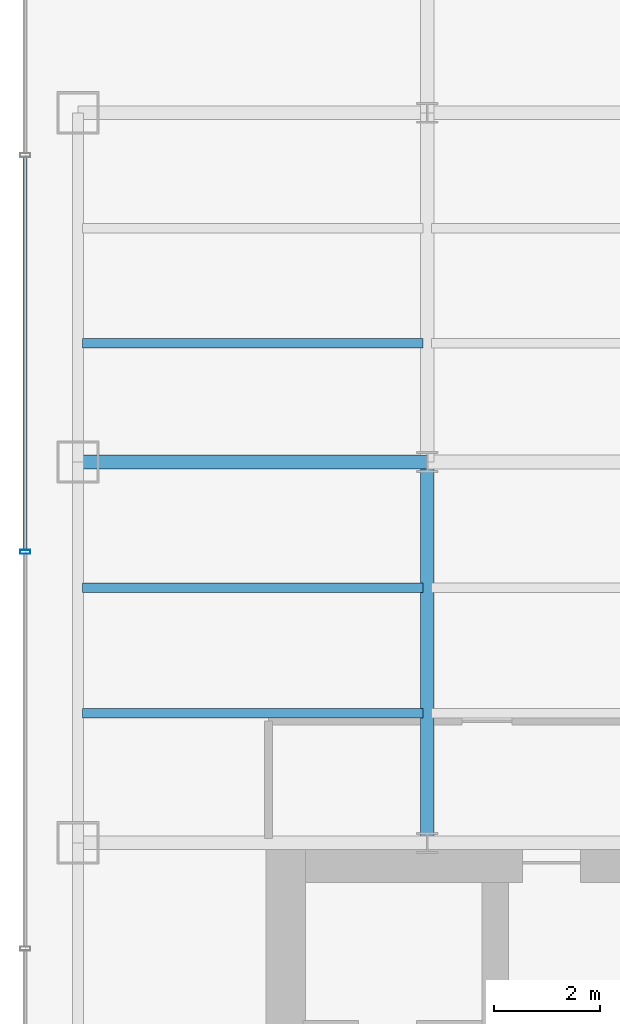
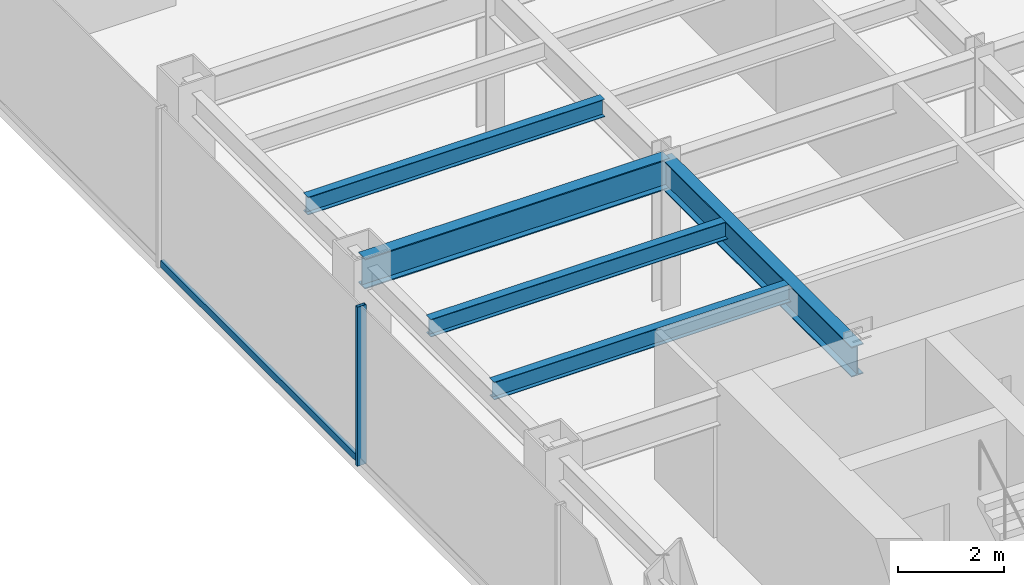
# One storey, part 4 of 26: 5 beams, 2 members, 1 element without a shape of its own.
"""IFC4 building model written with IfcOpenShell, lengths in metres."""

import ifcopenshell
import ifcopenshell.guid

model = None  # the IFC model being written
_history = None  # IfcOwnerHistory: only IFC2X3 demands one
_inside = {}  # id of a spatial element -> (the spatial element, [elements in it])
_under = {}  # id of a project, library or spatial element -> (it, [spatial elements below it])
_declared = {}  # id of a project -> (the project, [libraries it declares])
_typed = {}  # id of a type object -> (the type object, [elements of that type])
_made_of = {}  # id of a material, layer set ... -> (it, [elements and type objects made of it])


def new_model(schema):
    """Start an empty IFC model of exactly this schema.

    Asked for "IFC4X3", IfcOpenShell would pick the latest addendum, in which some entities
    have other attributes; the version numbers below select the first issue.
    IFC2X3 requires an IfcOwnerHistory on every rooted entity: one is made here for all.
    """
    global model, _history
    if schema == "IFC4X3":
        model = ifcopenshell.file(schema_version=(4, 3, 0, 0))
    else:
        model = ifcopenshell.file(schema=schema)
    _inside.clear()
    _under.clear()
    _declared.clear()
    _typed.clear()
    _made_of.clear()
    _history = None
    if model.schema == "IFC2X3":
        org = make("IfcOrganization", Name="unknown")
        user = make(
            "IfcPersonAndOrganization",
            ThePerson=make("IfcPerson", FamilyName="unknown"),
            TheOrganization=org,
        )
        app = make(
            "IfcApplication",
            ApplicationDeveloper=org,
            Version="unknown",
            ApplicationFullName="unknown",
            ApplicationIdentifier="unknown",
        )
        _history = make(
            "IfcOwnerHistory",
            OwningUser=user,
            OwningApplication=app,
            ChangeAction="ADDED",
            CreationDate=0,
        )
    return model


def make(cls, **values):
    """One entity of the class cls with the attributes given. An attribute that is None is left unset."""
    return model.create_entity(
        cls, **{name: value for name, value in values.items() if value is not None}
    )


def rooted(cls, **values):
    """An entity with a GlobalId (a new one), such as an element, a storey or a relation."""
    return make(cls, GlobalId=ifcopenshell.guid.new(), OwnerHistory=_history, **values)


def si_unit(unit_type, name, prefix=None):
    """IfcSIUnit, for example si_unit("LENGTHUNIT", "METRE", prefix="MILLI")."""
    return make("IfcSIUnit", UnitType=unit_type, Prefix=prefix, Name=name)


def derived_unit(unit_type, elements):
    """IfcDerivedUnit: a product of units, each with its exponent."""
    return make(
        "IfcDerivedUnit",
        Elements=[
            make("IfcDerivedUnitElement", Unit=unit, Exponent=power)
            for unit, power in elements
        ],
        UnitType=unit_type,
    )


def assignment(units):
    """IfcUnitAssignment: the units of a project."""
    return None if units is None else make("IfcUnitAssignment", Units=units)


def point(xyz):
    """IfcCartesianPoint."""
    return None if xyz is None else make("IfcCartesianPoint", Coordinates=xyz)


def direction(xyz):
    """IfcDirection."""
    return None if xyz is None else make("IfcDirection", DirectionRatios=xyz)


def frame(location, z_axis=None, x_axis=None):
    """IfcAxis2Placement3D, a coordinate frame: its origin and axes. An axis left out is left unset."""
    return make(
        "IfcAxis2Placement3D",
        Location=point(location),
        Axis=direction(z_axis),
        RefDirection=direction(x_axis),
    )


def frame_2d(location, x_axis=None):
    """IfcAxis2Placement2D, a coordinate frame in the plane: its origin and x axis."""
    return make(
        "IfcAxis2Placement2D", Location=point(location), RefDirection=direction(x_axis)
    )


def origin():
    """The frame at (0, 0, 0) with its axes left unset."""
    return frame((0.0, 0.0, 0.0))


def origin_2d():
    """The frame at (0, 0) in the plane with its x axis left unset."""
    return frame_2d((0.0, 0.0))


def place(relative_to, where):
    """IfcLocalPlacement: puts the frame where relative to a parent placement (None: the world)."""
    return make(
        "IfcLocalPlacement", PlacementRelTo=relative_to, RelativePlacement=where
    )


def context(
    kind, dimensions, precision=None, world=None, true_north=None, identifier=None
):
    """IfcGeometricRepresentationContext, for example the 3D "Model" context."""
    return make(
        "IfcGeometricRepresentationContext",
        ContextIdentifier=identifier,
        ContextType=kind,
        CoordinateSpaceDimension=dimensions,
        Precision=precision,
        WorldCoordinateSystem=world,
        TrueNorth=true_north,
    )


def subcontext(parent, identifier, kind, view, scale=None):
    """IfcGeometricRepresentationSubContext, for example "Body" below "Model"."""
    return make(
        "IfcGeometricRepresentationSubContext",
        ContextIdentifier=identifier,
        ContextType=kind,
        ParentContext=parent,
        TargetScale=scale,
        TargetView=view,
    )


def project(units=None, contexts=None):
    """IfcProject with its units and contexts."""
    return rooted(
        "IfcProject",
        Name="project",
        RepresentationContexts=contexts,
        UnitsInContext=assignment(units),
    )


def spatial(cls, under=None, at=None, **own):
    """A site, building, storey or space (cls), placed at a placement, below another one or the project."""
    s = rooted(cls, ObjectPlacement=at, **own)
    if under is not None:
        _under.setdefault(under.id(), (under, []))[1].append(s)
    return s


def profile(cls, at=None, kind="AREA", **sizes):
    """A parametric profile (cls). Its sizes go by their IFC names, for example OverallWidth=200.0."""
    return make(cls, ProfileType=kind, Position=at, **sizes)


def hollow_rectangle(**sizes):
    """IfcRectangleHollowProfileDef."""
    return profile("IfcRectangleHollowProfileDef", **sizes)


def i_section(**sizes):
    """IfcIShapeProfileDef."""
    return profile("IfcIShapeProfileDef", **sizes)


def extrude(swept, where, along, depth):
    """IfcExtrudedAreaSolid: the profile swept, set in the frame where, extruded along a direction by depth."""
    return make(
        "IfcExtrudedAreaSolid",
        SweptArea=swept,
        Position=where,
        ExtrudedDirection=direction(along),
        Depth=depth,
    )


def shape(context_of_items, identifier, shape_type, items):
    """IfcShapeRepresentation: the items that make up one representation, for example the "Body"."""
    return make(
        "IfcShapeRepresentation",
        ContextOfItems=context_of_items,
        RepresentationIdentifier=identifier,
        RepresentationType=shape_type,
        Items=items,
    )


def source(mapping_origin, context_of_items, identifier, shape_type, items):
    """IfcRepresentationMap: a shape defined once, which mapped items show again and again."""
    return make(
        "IfcRepresentationMap",
        MappingOrigin=mapping_origin,
        MappedRepresentation=shape(context_of_items, identifier, shape_type, items),
    )


def transform(
    local_origin,
    x_axis=None,
    y_axis=None,
    z_axis=None,
    scale=None,
    scale2=None,
    scale3=None,
    uniform=True,
):
    """IfcCartesianTransformationOperator3D, or its non-uniform kind. x_axis, y_axis, z_axis: its Axis1, 2, 3."""
    if uniform:
        return make(
            "IfcCartesianTransformationOperator3D",
            Axis1=direction(x_axis),
            Axis2=direction(y_axis),
            LocalOrigin=point(local_origin),
            Scale=scale,
            Axis3=direction(z_axis),
        )
    return make(
        "IfcCartesianTransformationOperator3DnonUniform",
        Axis1=direction(x_axis),
        Axis2=direction(y_axis),
        LocalOrigin=point(local_origin),
        Scale=scale,
        Axis3=direction(z_axis),
        Scale2=scale2,
        Scale3=scale3,
    )


def mapped(mapping_source, mapping_target):
    """IfcMappedItem: shows the shape of a source again, moved by a transform."""
    return make(
        "IfcMappedItem", MappingSource=mapping_source, MappingTarget=mapping_target
    )


def material(Name=None, Category=None):
    """IfcMaterial."""
    return make("IfcMaterial", Name=Name, Category=Category)


def material_profile(
    of_material, cross_section, Name=None, Category=None, Priority=None
):
    """IfcMaterialProfile: a cross section and its material."""
    return make(
        "IfcMaterialProfile",
        Name=Name,
        Material=of_material,
        Profile=cross_section,
        Priority=Priority,
        Category=Category,
    )


def profile_set(profiles, Name=None, composite=None):
    """IfcMaterialProfileSet."""
    return make(
        "IfcMaterialProfileSet",
        Name=Name,
        MaterialProfiles=profiles,
        CompositeProfile=composite,
    )


def made_of(thing, what):
    """Note that an element or type object is made of a material, layer set ...; save() writes the relation."""
    if what is not None:
        _made_of.setdefault(what.id(), (what, []))[1].append(thing)
    return thing


def type_object(cls, material=None, **own):
    """A type object (cls), such as IfcWallType, which elements share."""
    return made_of(rooted(cls, **own), material)


def element(
    cls,
    number,
    at=None,
    inside=None,
    cuts=None,
    type_object=None,
    material=None,
    context=None,
    identifier="Body",
    shape_type=None,
    held_by="IfcProductDefinitionShape",
    body=None,
    shapes=None,
    **own,
):
    """One element of the class cls, such as IfcWall. Its Tag is "e" and its number.

    at: its placement. inside: the storey or other place that contains it. cuts: it is an
    opening in that element (IfcRelVoidsElement). A single representation is given by context,
    identifier, shape_type and body (its items); several are given by shapes. held_by: the class
    of the entity that holds the representations. save() writes the other relations.
    """
    e = rooted(cls, Tag="e%d" % number, ObjectPlacement=at, **own)
    if body is not None:
        shapes = [shape(context, identifier, shape_type, body)]
    if shapes is not None:
        e.Representation = make(held_by, Representations=shapes)
    if inside is not None:
        _inside.setdefault(inside.id(), (inside, []))[1].append(e)
    if cuts is not None:
        rooted(
            "IfcRelVoidsElement", RelatingBuildingElement=cuts, RelatedOpeningElement=e
        )
    if type_object is not None:
        _typed.setdefault(type_object.id(), (type_object, []))[1].append(e)
    return made_of(e, material)


def aggregate(whole, parts):
    """IfcRelAggregates: a whole, such as a stair, and the parts it consists of."""
    return rooted("IfcRelAggregates", RelatingObject=whole, RelatedObjects=parts)


def save(model, path):
    """Write the relations noted so far, then the file.

    IfcRelAggregates (storeys below a building ...), IfcRelContainedInSpatialStructure (elements
    in a storey), IfcRelDefinesByType, IfcRelAssociatesMaterial and IfcRelDeclares: one each for
    every whole, place, type object, material and project.
    """
    for whole, parts in _under.values():
        aggregate(whole, parts)
    for where, things in _inside.values():
        rooted(
            "IfcRelContainedInSpatialStructure",
            RelatedElements=things,
            RelatingStructure=where,
        )
    for kind, things in _typed.values():
        rooted("IfcRelDefinesByType", RelatedObjects=things, RelatingType=kind)
    for what, things in _made_of.values():
        rooted("IfcRelAssociatesMaterial", RelatedObjects=things, RelatingMaterial=what)
    for by, libraries in _declared.values():
        rooted("IfcRelDeclares", RelatingContext=by, RelatedDefinitions=libraries)
    model.write(path)


model = new_model("IFC4")

# Units and contexts
model_context = context("Model", 3, precision=1e-05, world=origin(), true_north=direction((0.0, 1.0)))
body_context = subcontext(model_context, "Body", "Model", "MODEL_VIEW")
ifc_project = project(units=[si_unit("LENGTHUNIT", "METRE"), si_unit("AREAUNIT", "SQUARE_METRE"), si_unit("VOLUMEUNIT", "CUBIC_METRE"), si_unit("PLANEANGLEUNIT", "RADIAN"), si_unit("MASSUNIT", "GRAM", prefix="KILO"), derived_unit("THERMALTRANSMITTANCEUNIT", [(si_unit("POWERUNIT", "WATT"), 1), (si_unit("LENGTHUNIT", "METRE"), -2), (si_unit("THERMODYNAMICTEMPERATUREUNIT", "KELVIN"), -1)])], contexts=[model_context])

# Site, building, storey
site_placement = place(None, origin())
site = spatial("IfcSite", under=ifc_project, at=site_placement, CompositionType="ELEMENT")
building_placement = place(site_placement, origin())
building = spatial("IfcBuilding", under=site, at=building_placement, Name="Skarnbrae Concourse Arena and Tower", CompositionType="ELEMENT")
storey_placement = place(building_placement, frame((0.0, 0.0, 99.60009765625)))
storey = spatial("IfcBuildingStorey", under=building, at=storey_placement, Name="L24", CompositionType="ELEMENT", Elevation=99.60009765625)

# Beams
ifc_material_1 = material(Name="Steel CSA G40.21 350W", Category="steel")
ifc_material_profile_1 = material_profile(ifc_material_1, i_section(OverallWidth=0.256103515625, OverallDepth=0.693115234375, WebThickness=0.014404296875, FlangeThickness=0.023681640625, at=origin_2d()), Name="W690X170")
ifc_profile_set_1 = profile_set([ifc_material_profile_1], Name="Steel CSA G40.21 350W")
beam_type_1 = type_object("IfcBeamType", Name="BM-GIRD-W690X170", PredefinedType="BEAM", material=ifc_profile_set_1)
shared_shape_1 = source(origin(), body_context, "Body", "SweptSolid", [
    extrude(i_section(OverallWidth=0.256103515625, OverallDepth=0.693115234375, WebThickness=0.014404296875, FlangeThickness=0.023681640625, at=origin_2d()), origin(), (0.0, 0.0, 1.0), 6.60009765625),
])
beam_1_placement = place(storey_placement, frame((1.0, 21.199951171875, 3.053466796875), z_axis=(1.0, 0.0, 0.0), x_axis=(0.0, 1.0, 0.0)))
element("IfcBeam", 1, at=beam_1_placement, inside=storey, type_object=beam_type_1, Name="L24 Primary E-W girder Y21.2-1", PredefinedType="BEAM", context=body_context, shape_type="MappedRepresentation", body=[
    mapped(shared_shape_1, transform((0.0, 0.0, 0.0))),
])
shared_shape_2 = source(origin(), body_context, "Body", "SweptSolid", [
    extrude(i_section(OverallWidth=0.256103515625, OverallDepth=0.693115234375, WebThickness=0.014404296875, FlangeThickness=0.023681640625, at=origin_2d()), origin(), (0.0, 0.0, 1.0), 7.199951171875),
])
beam_2_placement = place(storey_placement, frame((7.60009765625, 14.0, 3.053466796875), z_axis=(0.0, 1.0, 0.0), x_axis=(-1.0, 0.0, 0.0)))
element("IfcBeam", 2, at=beam_2_placement, inside=storey, type_object=beam_type_1, Name="L24 Primary N-S girder X7.6-1", PredefinedType="BEAM", context=body_context, shape_type="MappedRepresentation", body=[
    mapped(shared_shape_2, transform((0.0, 0.0, 0.0))),
])
ifc_material_profile_2 = material_profile(ifc_material_1, i_section(OverallWidth=0.177978515625, OverallDepth=0.406982421875, WebThickness=0.0078125, FlangeThickness=0.0126953125, at=origin_2d()), Name="W410X60")
ifc_profile_set_2 = profile_set([ifc_material_profile_2], Name="Steel CSA G40.21 350W")
beam_type_2 = type_object("IfcBeamType", Name="BM-JOIST-W410X60", PredefinedType="JOIST", material=ifc_profile_set_2)
shared_shape_3 = source(origin(), body_context, "Body", "SweptSolid", [
    extrude(i_section(OverallWidth=0.177978515625, OverallDepth=0.406982421875, WebThickness=0.0078125, FlangeThickness=0.0126953125, at=origin_2d()), origin(), (0.0, 0.0, 1.0), 6.43994140625),
])
for number, where, z_axis, x_axis, name in (
    (3, (1.080078125, 16.447998046875, 3.1962890625), (1.0, 0.0, 0.0), (0.0, 1.0, 0.0), "L24 Secondary floor joist 1.1.1"),
    (4, (1.080078125, 18.823974609375, 3.1962890625), (1.0, 0.0, 0.0), (0.0, 1.0, 0.0), "L24 Secondary floor joist 1.2.1"),
    (5, (1.080078125, 23.444091796875, 3.1962890625), (1.0, 0.0, 0.0), (0.0, 1.0, 0.0), "L24 Secondary floor joist 2.1.1"),
):
    element("IfcBeam", number, at=place(storey_placement, frame(where, z_axis=z_axis, x_axis=x_axis)), inside=storey, type_object=beam_type_2, Name=name, PredefinedType="JOIST", context=body_context, shape_type="MappedRepresentation", body=[
        mapped(shared_shape_3, transform((0.0, 0.0, 0.0))),
    ])

# Curtain wall, members
ifc_material_2 = material(Name="Bronze anodised aluminium 6063-T6", Category="aluminium")
curtain_wall_type = type_object("IfcCurtainWallType", Name="CW-SYS-04-MIDZONE", PredefinedType="USERDEFINED", material=ifc_material_2)
curtain_wall_placement = place(storey_placement, origin())
curtain_wall = element("IfcCurtainWall", 6, at=curtain_wall_placement, inside=storey, type_object=curtain_wall_type, Name="L24 Unitised curtain wall CW-L24-E19", ObjectType="UNITISED CURTAIN WALL", PredefinedType="USERDEFINED")
ifc_material_profile_3 = material_profile(ifc_material_2, hollow_rectangle(XDim=0.074951171875, YDim=0.159912109375, WallThickness=0.00439453125, at=origin_2d()), Name="ALU-TRAN-75X160")
ifc_profile_set_3 = profile_set([ifc_material_profile_3], Name="Bronze anodised aluminium 6063-T6")
member_type_1 = type_object("IfcMemberType", Name="CWT-CW-04", PredefinedType="USERDEFINED", material=ifc_profile_set_3)
shared_shape_4 = source(origin(), body_context, "Body", "SweptSolid", [
    extrude(hollow_rectangle(XDim=0.074951171875, YDim=0.159912109375, WallThickness=0.00439453125, at=origin_2d()), origin(), (0.0, 0.0, 1.0), 7.4248046875),
])
member_1_placement = place(storey_placement, frame((0.0, 26.96240234375, 0.079833984375), z_axis=(0.0, -1.0, 0.0), x_axis=(1.0, 0.0, 0.0)))
member_1 = element("IfcMember", 7, at=member_1_placement, type_object=member_type_1, Name="CW-L24-E19 Transom 2", ObjectType="TRANSOM", PredefinedType="USERDEFINED", context=body_context, shape_type="MappedRepresentation", body=[
    mapped(shared_shape_4, transform((0.0, 0.0, 0.0))),
])
ifc_material_profile_4 = material_profile(ifc_material_2, hollow_rectangle(XDim=0.074951171875, YDim=0.195068359375, WallThickness=0.00439453125, at=origin_2d()), Name="ALU-MULL-75X195")
ifc_profile_set_4 = profile_set([ifc_material_profile_4], Name="Bronze anodised aluminium 6063-T6")
member_type_2 = type_object("IfcMemberType", Name="CWM-CW-04", PredefinedType="MULLION", material=ifc_profile_set_4)
shared_shape_5 = source(origin(), body_context, "Body", "SweptSolid", [
    extrude(hollow_rectangle(XDim=0.074951171875, YDim=0.195068359375, WallThickness=0.00439453125, at=origin_2d()), origin(), (0.0, 0.0, 1.0), 3.64990234375),
])
member_2_placement = place(storey_placement, frame((0.0, 19.5, 0.0), z_axis=(0.0, 0.0, 1.0), x_axis=(0.0, -1.0, 0.0)))
member_2 = element("IfcMember", 8, at=member_2_placement, type_object=member_type_2, Name="CW-L24-E19 Mullion 3", PredefinedType="MULLION", context=body_context, shape_type="MappedRepresentation", body=[
    mapped(shared_shape_5, transform((0.0, 0.0, 0.0))),
])
aggregate(curtain_wall, [member_2, member_1])

save(model, "model.ifc")
